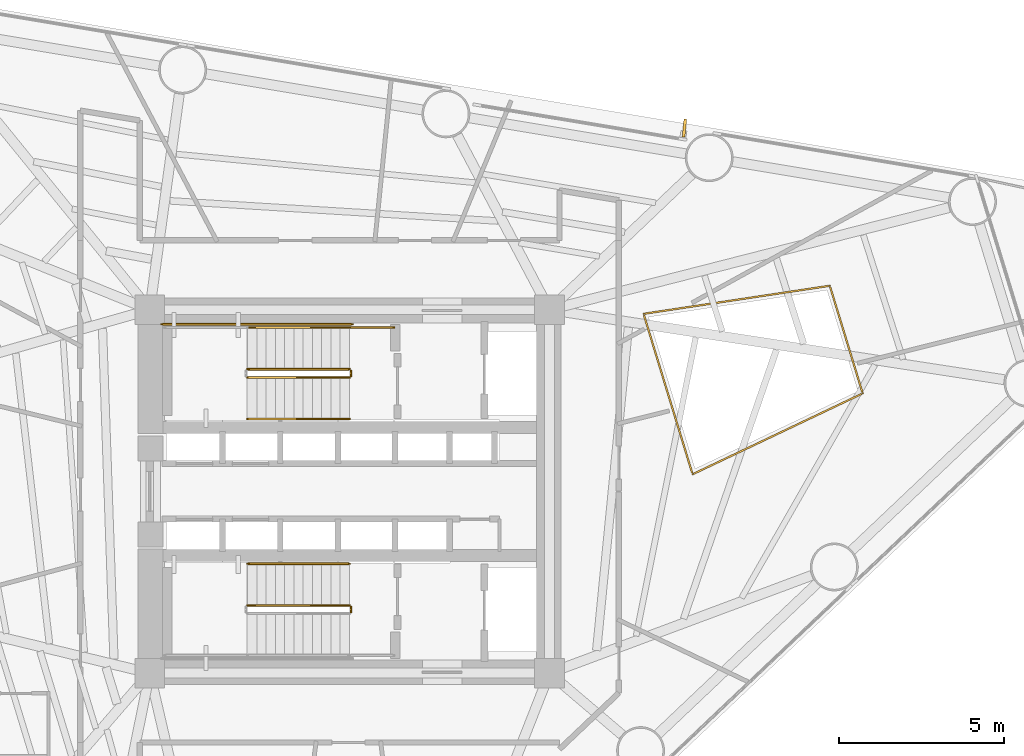
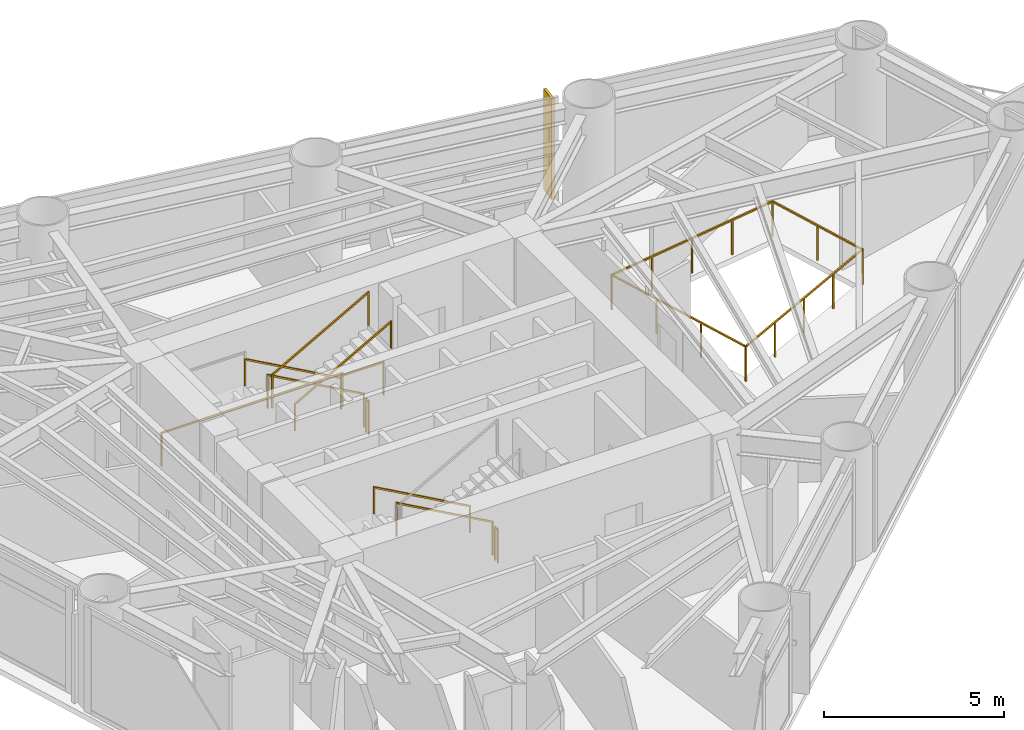
# One storey, part 9 of 10: 11 railings, 1 shading device.
"""IFC4 building model written with IfcOpenShell, lengths in metres."""

from ifc_helpers import new_model, si_unit, direction, frame, origin, origin_2d, place, context, subcontext, project, spatial, rectangle, extrude, source, transform, mapped, material, material_profile, profile_set, type_object, element, save


model = new_model("IFC4")

# Units and contexts
model_context = context("Model", 3, precision=1e-05, world=origin(), true_north=direction((0.0, 1.0)))
body_context = subcontext(model_context, "Body", "Model", "MODEL_VIEW")
ifc_project = project(units=[si_unit("LENGTHUNIT", "METRE"), si_unit("AREAUNIT", "SQUARE_METRE"), si_unit("VOLUMEUNIT", "CUBIC_METRE"), si_unit("PLANEANGLEUNIT", "RADIAN"), si_unit("MASSUNIT", "GRAM", prefix="KILO")], contexts=[model_context])

# Site, building, storey
site_placement = place(None, origin())
site = spatial("IfcSite", under=ifc_project, at=site_placement, CompositionType="ELEMENT")
building_placement = place(site_placement, origin())
building = spatial("IfcBuilding", under=site, at=building_placement, Name="Yunling Apex Tower", CompositionType="ELEMENT")
storey_placement = place(building_placement, frame((0.0, 0.0, 116.14990234375)))
storey = spatial("IfcBuildingStorey", under=building, at=storey_placement, Name="L29", CompositionType="ELEMENT", Elevation=116.14990234375)

# Railings
ifc_material_1 = material(Name="Bronze anodised aluminium", Category="aluminium")
railing_type_1 = type_object("IfcRailingType", Name="RL-BAL-1200", PredefinedType="BALUSTRADE", material=ifc_material_1)
railing_1_placement = place(storey_placement, frame((8.897216796875, 5.375244140625, 0.0)))
element("IfcRailing", 1, at=railing_1_placement, inside=storey, type_object=railing_type_1, Name="RL-TATR-L29", PredefinedType="BALUSTRADE", context=body_context, shape_type="SweptSolid", body=[
    extrude(rectangle(XDim=0.0439453125, YDim=0.0439453125, at=origin_2d()), origin(), (0.0, 0.0, 1.0), 1.199951171875),
    extrude(rectangle(XDim=0.0439453125, YDim=0.0439453125, at=origin_2d()), frame((5.637939453125, 0.849853515625, 0.0)), (0.0, 0.0, 1.0), 1.199951171875),
    extrude(rectangle(XDim=0.050048828125, YDim=0.050048828125, at=origin_2d()), frame((0.037841796875, 0.005615234375, 1.1748046875), z_axis=(0.988828994204, 0.149054420336, 0.0), x_axis=(-0.149054420336, 0.988828994204, 0.0)), (0.0, 0.0, 1.0), 5.625),
    extrude(rectangle(XDim=0.0439453125, YDim=0.0439453125, at=origin_2d()), frame((1.409423828125, 0.21240234375, 0.0)), (0.0, 0.0, 1.0), 1.14599609375),
    extrude(rectangle(XDim=0.0439453125, YDim=0.0439453125, at=origin_2d()), frame((2.81884765625, 0.4248046875, 0.0)), (0.0, 0.0, 1.0), 1.14599609375),
    extrude(rectangle(XDim=0.0439453125, YDim=0.0439453125, at=origin_2d()), frame((4.228515625, 0.637451171875, 0.0)), (0.0, 0.0, 1.0), 1.14599609375),
    extrude(rectangle(XDim=0.0439453125, YDim=0.0439453125, at=origin_2d()), frame((6.6337890625, -2.408203125, 0.0)), (0.0, 0.0, 1.0), 1.199951171875),
    extrude(rectangle(XDim=0.050048828125, YDim=0.050048828125, at=origin_2d()), frame((5.649169921875, 0.813232421875, 1.1748046875), z_axis=(0.292307744699, -0.956324308166, 0.0), x_axis=(0.956324308166, 0.292307744699, 0.0)), (0.0, 0.0, 1.0), 3.330078125),
    extrude(rectangle(XDim=0.0439453125, YDim=0.0439453125, at=origin_2d()), frame((6.1357421875, -0.779296875, 0.0)), (0.0, 0.0, 1.0), 1.14599609375),
    extrude(rectangle(XDim=0.0439453125, YDim=0.0439453125, at=origin_2d()), frame((1.484619140625, -4.856201171875, 0.0)), (0.0, 0.0, 1.0), 1.199951171875),
    extrude(rectangle(XDim=0.050048828125, YDim=0.050048828125, at=origin_2d()), frame((6.59912109375, -2.424560546875, 1.1748046875), z_axis=(-0.903131826937, -0.429363369622, 0.0), x_axis=(0.429363369622, -0.903131826937, 0.0)), (0.0, 0.0, 1.0), 5.624755859375),
    extrude(rectangle(XDim=0.0439453125, YDim=0.0439453125, at=origin_2d()), frame((5.346435546875, -3.020263671875, 0.0)), (0.0, 0.0, 1.0), 1.14599609375),
    extrude(rectangle(XDim=0.0439453125, YDim=0.0439453125, at=origin_2d()), frame((4.05908203125, -3.63232421875, 0.0)), (0.0, 0.0, 1.0), 1.14599609375),
    extrude(rectangle(XDim=0.0439453125, YDim=0.0439453125, at=origin_2d()), frame((2.77197265625, -4.244140625, 0.0)), (0.0, 0.0, 1.0), 1.14599609375),
    extrude(rectangle(XDim=0.050048828125, YDim=0.050048828125, at=origin_2d()), frame((1.473388671875, -4.819580078125, 1.1748046875), z_axis=(-0.292358998686, 0.956308640496, 0.0), x_axis=(-0.956308640496, -0.292358998686, 0.0)), (0.0, 0.0, 1.0), 5.00146484375),
    extrude(rectangle(XDim=0.0439453125, YDim=0.0439453125, at=origin_2d()), frame((0.98974609375, -3.237548828125, 0.0)), (0.0, 0.0, 1.0), 1.14599609375),
    extrude(rectangle(XDim=0.0439453125, YDim=0.0439453125, at=origin_2d()), frame((0.494873046875, -1.61865234375, 0.0)), (0.0, 0.0, 1.0), 1.14599609375),
])
ifc_material_2 = material(Name="Steel Q355B", Category="steel")
railing_type_2 = type_object("IfcRailingType", Name="RL-GRD-1150", PredefinedType="GUARDRAIL", material=ifc_material_2)
railing_2_placement = place(storey_placement, frame((-0.010009765625, 3.699951171875, 0.15625)))
element("IfcRailing", 2, at=railing_2_placement, inside=storey, type_object=railing_type_2, Name="L29 ST-1 stair guard 1", PredefinedType="GUARDRAIL", context=body_context, shape_type="SweptSolid", body=[
    extrude(rectangle(XDim=0.0439453125, YDim=0.0439453125, at=origin_2d()), origin(), (0.0, 0.0, 1.0), 1.14990234375),
    extrude(rectangle(XDim=0.0439453125, YDim=0.0439453125, at=origin_2d()), frame((-3.080078125, 0.0, 1.71875)), (0.0, 0.0, 1.0), 1.14990234375),
    extrude(rectangle(XDim=0.050048828125, YDim=0.050048828125, at=origin_2d()), frame((-0.033447265625, 0.0, 1.1435546875), z_axis=(-0.873241540666, 0.0, 0.487287606713), x_axis=(0.0, -1.0, 0.0)), (0.0, 0.0, 1.0), 3.450439453125),
])
railing_3_placement = place(storey_placement, frame((-3.090087890625, 3.449951171875, 2.03125)))
element("IfcRailing", 3, at=railing_3_placement, inside=storey, type_object=railing_type_2, Name="L29 ST-1 stair guard 4", PredefinedType="GUARDRAIL", context=body_context, shape_type="SweptSolid", body=[
    extrude(rectangle(XDim=0.0439453125, YDim=0.0439453125, at=origin_2d()), origin(), (0.0, 0.0, 1.0), 1.14990234375),
    extrude(rectangle(XDim=0.0439453125, YDim=0.0439453125, at=origin_2d()), frame((3.080078125, 0.0, 1.71875)), (0.0, 0.0, 1.0), 1.14990234375),
    extrude(rectangle(XDim=0.050048828125, YDim=0.050048828125, at=origin_2d()), frame((0.033447265625, 0.0, 1.1435546875), z_axis=(0.873241540666, 0.0, 0.487287606713), x_axis=(0.0, 1.0, 0.0)), (0.0, 0.0, 1.0), 3.450439453125),
])
railing_4_placement = place(storey_placement, frame((0.0400390625, 3.64990234375, 0.0)))
element("IfcRailing", 4, at=railing_4_placement, inside=storey, type_object=railing_type_2, Name="L29 ST-1 stair guard 5", PredefinedType="GUARDRAIL", context=body_context, shape_type="SweptSolid", body=[
    extrude(rectangle(XDim=0.0439453125, YDim=0.0439453125, at=origin_2d()), origin(), (0.0, 0.0, 1.0), 1.14990234375),
    extrude(rectangle(XDim=0.0439453125, YDim=0.0439453125, at=origin_2d()), frame((0.0, -0.14990234375, 0.0)), (0.0, 0.0, 1.0), 1.14990234375),
    extrude(rectangle(XDim=0.050048828125, YDim=0.050048828125, at=origin_2d()), frame((0.0, -0.038330078125, 1.125), z_axis=(0.0, -1.0, 0.0), x_axis=(1.0, 0.0, 0.0)), (0.0, 0.0, 1.0), 0.0732421875),
])
railing_5_placement = place(storey_placement, frame((1.35009765625, 4.9599609375, 0.0)))
element("IfcRailing", 5, at=railing_5_placement, inside=storey, type_object=railing_type_2, Name="L29 ST-1 stair guard 6", PredefinedType="GUARDRAIL", context=body_context, shape_type="SweptSolid", body=[
    extrude(rectangle(XDim=0.0439453125, YDim=0.0439453125, at=origin_2d()), origin(), (0.0, 0.0, 1.0), 1.14990234375),
    extrude(rectangle(XDim=0.0439453125, YDim=0.0439453125, at=origin_2d()), frame((-1.360107421875, 0.0, 0.0)), (0.0, 0.0, 1.0), 1.14990234375),
    extrude(rectangle(XDim=0.050048828125, YDim=0.050048828125, at=origin_2d()), frame((-0.038330078125, 0.0, 1.125), z_axis=(-1.0, 0.0, 0.0), x_axis=(0.0, -1.0, 0.0)), (0.0, 0.0, 1.0), 1.283447265625),
])
railing_6_placement = place(storey_placement, frame((0.090087890625, 5.06005859375, 0.0)))
element("IfcRailing", 6, at=railing_6_placement, inside=storey, type_object=railing_type_2, Name="L29 ST-1 stair guard 7", PredefinedType="GUARDRAIL", context=body_context, shape_type="SweptSolid", body=[
    extrude(rectangle(XDim=0.0439453125, YDim=0.0439453125, at=origin_2d()), origin(), (0.0, 0.0, 1.0), 1.14990234375),
    extrude(rectangle(XDim=0.0439453125, YDim=0.0439453125, at=origin_2d()), frame((-5.7900390625, 0.0, 0.0)), (0.0, 0.0, 1.0), 1.14990234375),
    extrude(rectangle(XDim=0.050048828125, YDim=0.050048828125, at=origin_2d()), frame((-0.038330078125, 0.0, 1.125), z_axis=(-1.0, 0.0, 0.0), x_axis=(0.0, -1.0, 0.0)), (0.0, 0.0, 1.0), 5.71337890625),
])
railing_7_placement = place(storey_placement, frame((-0.010009765625, -3.449951171875, 0.15625)))
element("IfcRailing", 7, at=railing_7_placement, inside=storey, type_object=railing_type_2, Name="L29 ST-2 stair guard 1", PredefinedType="GUARDRAIL", context=body_context, shape_type="SweptSolid", body=[
    extrude(rectangle(XDim=0.0439453125, YDim=0.0439453125, at=origin_2d()), origin(), (0.0, 0.0, 1.0), 1.14990234375),
    extrude(rectangle(XDim=0.0439453125, YDim=0.0439453125, at=origin_2d()), frame((-3.080078125, 0.0, 1.71875)), (0.0, 0.0, 1.0), 1.14990234375),
    extrude(rectangle(XDim=0.050048828125, YDim=0.050048828125, at=origin_2d()), frame((-0.033447265625, 0.0, 1.1435546875), z_axis=(-0.873241540666, 0.0, 0.487287606713), x_axis=(0.0, -1.0, 0.0)), (0.0, 0.0, 1.0), 3.450439453125),
])
railing_8_placement = place(storey_placement, frame((0.0400390625, -3.5, 0.0)))
element("IfcRailing", 8, at=railing_8_placement, inside=storey, type_object=railing_type_2, Name="L29 ST-2 stair guard 5", PredefinedType="GUARDRAIL", context=body_context, shape_type="SweptSolid", body=[
    extrude(rectangle(XDim=0.0439453125, YDim=0.0439453125, at=origin_2d()), origin(), (0.0, 0.0, 1.0), 1.14990234375),
    extrude(rectangle(XDim=0.0439453125, YDim=0.0439453125, at=origin_2d()), frame((0.0, -0.14990234375, 0.0)), (0.0, 0.0, 1.0), 1.14990234375),
    extrude(rectangle(XDim=0.050048828125, YDim=0.050048828125, at=origin_2d()), frame((0.0, -0.038330078125, 1.125), z_axis=(0.0, -1.0, 0.0), x_axis=(1.0, 0.0, 0.0)), (0.0, 0.0, 1.0), 0.0732421875),
])
ifc_material_3 = material(Name="Silver anodised aluminium", Category="aluminium")
railing_type_3 = type_object("IfcRailingType", Name="RL-HND-900", PredefinedType="HANDRAIL", material=ifc_material_3)
railing_9_placement = place(storey_placement, frame((-0.010009765625, 4.9599609375, 0.15625)))
element("IfcRailing", 9, at=railing_9_placement, inside=storey, type_object=railing_type_3, Name="L29 ST-1 stair handrail 1", PredefinedType="HANDRAIL", context=body_context, shape_type="SweptSolid", body=[
    extrude(rectangle(XDim=0.0439453125, YDim=0.0439453125, at=origin_2d()), origin(), (0.0, 0.0, 1.0), 0.919921875),
    extrude(rectangle(XDim=0.0439453125, YDim=0.0439453125, at=origin_2d()), frame((-3.080078125, 0.0, 1.71875)), (0.0, 0.0, 1.0), 0.919921875),
    extrude(rectangle(XDim=0.050048828125, YDim=0.050048828125, at=origin_2d()), frame((-0.033447265625, 0.0, 0.91357421875), z_axis=(-0.873241540666, 0.0, 0.487287606713), x_axis=(0.0, -1.0, 0.0)), (0.0, 0.0, 1.0), 3.450439453125),
])
railing_10_placement = place(storey_placement, frame((-3.090087890625, 2.18994140625, 2.03125)))
element("IfcRailing", 10, at=railing_10_placement, inside=storey, type_object=railing_type_3, Name="L29 ST-1 stair handrail 2", PredefinedType="HANDRAIL", context=body_context, shape_type="SweptSolid", body=[
    extrude(rectangle(XDim=0.0439453125, YDim=0.0439453125, at=origin_2d()), origin(), (0.0, 0.0, 1.0), 0.919921875),
    extrude(rectangle(XDim=0.0439453125, YDim=0.0439453125, at=origin_2d()), frame((3.080078125, 0.0, 1.71875)), (0.0, 0.0, 1.0), 0.919921875),
    extrude(rectangle(XDim=0.050048828125, YDim=0.050048828125, at=origin_2d()), frame((0.033447265625, 0.0, 0.91357421875), z_axis=(0.873241540666, 0.0, 0.487287606713), x_axis=(0.0, 1.0, 0.0)), (0.0, 0.0, 1.0), 3.450439453125),
])
railing_11_placement = place(storey_placement, frame((-0.010009765625, -2.18994140625, 0.15625)))
element("IfcRailing", 11, at=railing_11_placement, inside=storey, type_object=railing_type_3, Name="L29 ST-2 stair handrail 1", PredefinedType="HANDRAIL", context=body_context, shape_type="SweptSolid", body=[
    extrude(rectangle(XDim=0.0439453125, YDim=0.0439453125, at=origin_2d()), origin(), (0.0, 0.0, 1.0), 0.919921875),
    extrude(rectangle(XDim=0.0439453125, YDim=0.0439453125, at=origin_2d()), frame((-3.080078125, 0.0, 1.71875)), (0.0, 0.0, 1.0), 0.919921875),
    extrude(rectangle(XDim=0.050048828125, YDim=0.050048828125, at=origin_2d()), frame((-0.033447265625, 0.0, 0.91357421875), z_axis=(-0.873241540666, 0.0, 0.487287606713), x_axis=(0.0, -1.0, 0.0)), (0.0, 0.0, 1.0), 3.450439453125),
])

# Shading device
ifc_material_profile = material_profile(ifc_material_1, rectangle(XDim=0.0849609375, YDim=0.550048828125, at=origin_2d()))
ifc_profile_set = profile_set([ifc_material_profile], Name="Bronze anodised aluminium")
shading_device_type = type_object("IfcShadingDeviceType", Name="FN-BRZ-3", PredefinedType="USERDEFINED", material=ifc_profile_set)
shared_shape = source(origin(), body_context, "Body", "SweptSolid", [
    extrude(rectangle(XDim=0.0849609375, YDim=0.550048828125, at=origin_2d()), origin(), (0.0, 0.0, 1.0), 3.409912109375),
])
shading_device_placement = place(storey_placement, frame((10.135498046875, 11.00146484375, 0.06005859375), z_axis=(0.0, 0.0, 1.0), x_axis=(-0.995038220239, 0.099493418189, 0.0)))
element("IfcShadingDevice", 12, at=shading_device_placement, inside=storey, type_object=shading_device_type, Name="CW-L29-F2-B2-FIN-01", ObjectType="FIN", PredefinedType="USERDEFINED", context=body_context, shape_type="MappedRepresentation", body=[
    mapped(shared_shape, transform((0.0, 0.0, 0.0), scale=1.0)),
])

save(model, "model.ifc")
